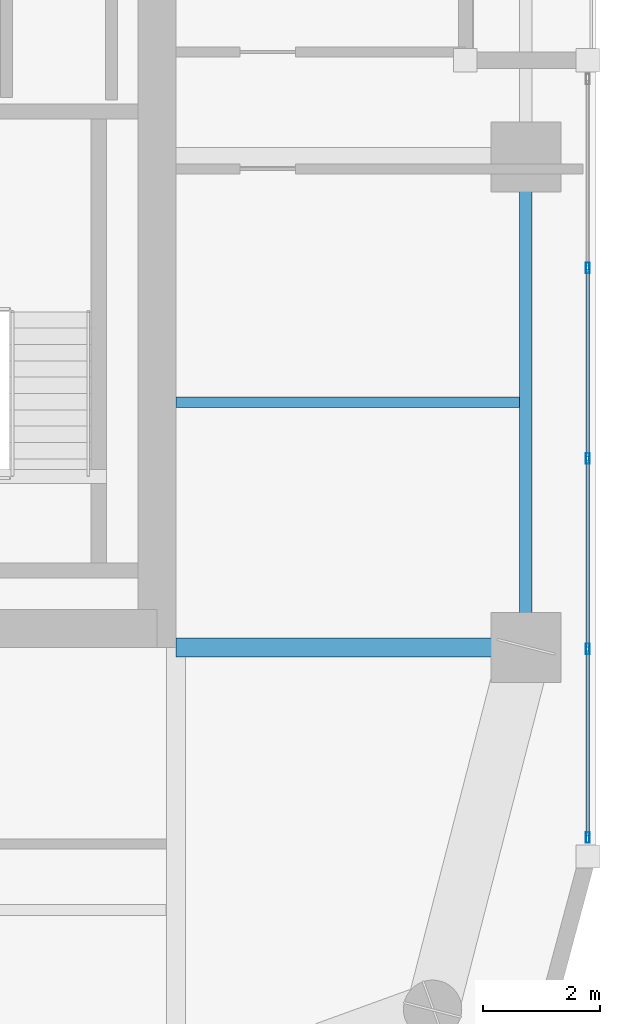
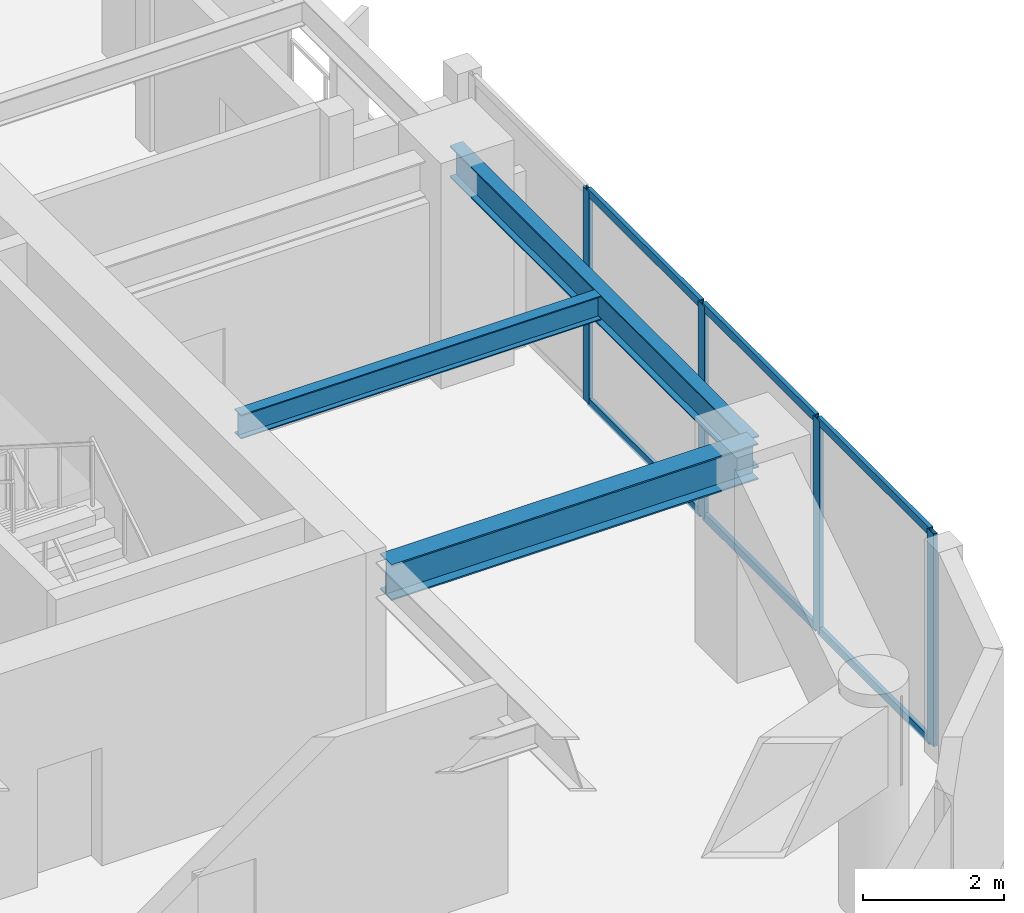
# One storey, part 9 of 30: 10 members, 3 beams, 1 element without a shape of its own.
"""IFC4 building model written with IfcOpenShell, lengths in metres."""

from ifc_helpers import new_model, si_unit, direction, frame, origin, origin_2d, place, context, subcontext, project, spatial, hollow_rectangle, i_section, extrude, material, layer, layer_set, material_profile, profile_set, type_object, element, aggregate, save


model = new_model("IFC4")

# Units and contexts
model_context = context("Model", 3, precision=1e-05, world=origin(), true_north=direction((0.0, 1.0)))
body_context = subcontext(model_context, "Body", "Model", "MODEL_VIEW")
ifc_project = project(units=[si_unit("LENGTHUNIT", "METRE"), si_unit("AREAUNIT", "SQUARE_METRE"), si_unit("VOLUMEUNIT", "CUBIC_METRE"), si_unit("PLANEANGLEUNIT", "RADIAN"), si_unit("MASSUNIT", "GRAM", prefix="KILO")], contexts=[model_context])

# Site, building, storey
site_placement = place(None, origin())
site = spatial("IfcSite", under=ifc_project, at=site_placement, CompositionType="ELEMENT")
building_placement = place(site_placement, origin())
building = spatial("IfcBuilding", under=site, at=building_placement, Name="Kiyonajd Concourse Tower", CompositionType="ELEMENT")
storey_placement = place(building_placement, frame((0.0, 0.0, 190.199951171875)))
storey = spatial("IfcBuildingStorey", under=building, at=storey_placement, Name="L48", CompositionType="ELEMENT", Elevation=190.199951171875)

# Beams
ifc_material_1 = material(Name="Steel ASTM A992 Grade 50", Category="steel")
ifc_material_profile_1 = material_profile(ifc_material_1, i_section(OverallWidth=0.180908203125, OverallDepth=0.4169921875, WebThickness=0.010986328125, FlangeThickness=0.018310546875, at=origin_2d()), Name="W410X85")
ifc_profile_set_1 = profile_set([ifc_material_profile_1], Name="Steel ASTM A992 Grade 50")
beam_type_1 = type_object("IfcBeamType", Name="BM-JST-410", PredefinedType="JOIST", material=ifc_profile_set_1)
beam_1_placement = place(storey_placement, frame((63.60009765625, 31.800048828125, 3.471435546875), z_axis=(1.0, 0.0, 0.0), x_axis=(0.0, 1.0, 0.0)))
element("IfcBeam", 1, at=beam_1_placement, inside=storey, type_object=beam_type_1, Name="L48 East Secondary Floor Joist", PredefinedType="JOIST", context=body_context, shape_type="SweptSolid", body=[
    extrude(i_section(OverallWidth=0.180908203125, OverallDepth=0.4169921875, WebThickness=0.010986328125, FlangeThickness=0.018310546875, at=origin_2d()), origin(), (0.0, 0.0, 1.0), 5.892822265625),
])
ifc_material_profile_2 = material_profile(ifc_material_1, i_section(OverallWidth=0.214111328125, OverallDepth=0.549072265625, WebThickness=0.0146484375, FlangeThickness=0.023681640625, at=origin_2d()), Name="W530X138")
ifc_profile_set_2 = profile_set([ifc_material_profile_2], Name="Steel ASTM A992 Grade 50")
beam_type_2 = type_object("IfcBeamType", Name="BM-SPAN-530A", PredefinedType="SPANDREL", material=ifc_profile_set_2)
beam_2_placement = place(storey_placement, frame((69.60009765625, 27.60009765625, 3.405517578125), z_axis=(0.0, 1.0, 0.0), x_axis=(-1.0, 0.0, 0.0)))
element("IfcBeam", 2, at=beam_2_placement, inside=storey, type_object=beam_type_2, Name="L48 Perimeter Bundled Tube Spandrel", PredefinedType="SPANDREL", context=body_context, shape_type="SweptSolid", body=[
    extrude(i_section(OverallWidth=0.214111328125, OverallDepth=0.549072265625, WebThickness=0.0146484375, FlangeThickness=0.023681640625, at=origin_2d()), origin(), (0.0, 0.0, 1.0), 8.39990234375),
])
ifc_material_profile_3 = material_profile(ifc_material_1, i_section(OverallWidth=0.326904296875, OverallDepth=0.6220703125, WebThickness=0.015380859375, FlangeThickness=0.0244140625, at=origin_2d()), Name="W610X195")
ifc_profile_set_3 = profile_set([ifc_material_profile_3], Name="Steel ASTM A992 Grade 50")
beam_type_3 = type_object("IfcBeamType", Name="BM-TWR-610A", PredefinedType="BEAM", material=ifc_profile_set_3)
beam_3_placement = place(storey_placement, frame((63.60009765625, 27.60009765625, 3.369140625), z_axis=(1.0, 0.0, 0.0), x_axis=(0.0, 1.0, 0.0)))
element("IfcBeam", 3, at=beam_3_placement, inside=storey, type_object=beam_type_3, Name="L48 East Lease Girder", PredefinedType="BEAM", context=body_context, shape_type="SweptSolid", body=[
    extrude(i_section(OverallWidth=0.326904296875, OverallDepth=0.6220703125, WebThickness=0.015380859375, FlangeThickness=0.0244140625, at=origin_2d()), origin(), (0.0, 0.0, 1.0), 6.0),
])

# Curtain wall, members
ifc_material_2 = material(Name="Thermally Broken Anodised Aluminium", Category="aluminium")
ifc_layer = layer(ifc_material_2, 0.179931640625)
ifc_layer_set = layer_set([ifc_layer], Name="Thermally Broken Anodised Aluminium")
curtain_wall_type = type_object("IfcCurtainWallType", Name="CW-SYS-03", PredefinedType="NOTDEFINED", material=ifc_layer_set)
curtain_wall_placement = place(storey_placement, origin())
curtain_wall = element("IfcCurtainWall", 4, at=curtain_wall_placement, inside=storey, type_object=curtain_wall_type, Name="L48 Unitised Curtain Wall CW3", PredefinedType="NOTDEFINED")
ifc_material_profile_4 = material_profile(ifc_material_2, hollow_rectangle(XDim=0.06494140625, YDim=0.179931640625, WallThickness=0.00390625, at=origin_2d()), Name="MULL-65x180")
ifc_profile_set_4 = profile_set([ifc_material_profile_4], Name="Thermally Broken Anodised Aluminium")
member_type_1 = type_object("IfcMemberType", Name="MB-CW-MULL1", PredefinedType="MULLION", material=ifc_profile_set_4)
member_1_placement = place(storey_placement, frame((70.659912109375, 34.1044921875, 0.0), z_axis=(0.0, 0.0, 1.0), x_axis=(1.0, 0.0, 0.0)))
member_1 = element("IfcMember", 5, at=member_1_placement, type_object=member_type_1, Name="CW3 mullion 2", PredefinedType="MULLION", context=body_context, shape_type="SweptSolid", body=[
    extrude(hollow_rectangle(XDim=0.06494140625, YDim=0.179931640625, WallThickness=0.00390625, at=origin_2d()), origin(), (0.0, 0.0, 1.0), 3.679931640625),
])
member_2_placement = place(storey_placement, frame((70.659912109375, 30.839111328125, 0.0), z_axis=(0.0, 0.0, 1.0), x_axis=(1.0, 0.0, 0.0)))
member_2 = element("IfcMember", 6, at=member_2_placement, type_object=member_type_1, Name="CW3 mullion 3", PredefinedType="MULLION", context=body_context, shape_type="SweptSolid", body=[
    extrude(hollow_rectangle(XDim=0.06494140625, YDim=0.179931640625, WallThickness=0.00390625, at=origin_2d()), origin(), (0.0, 0.0, 1.0), 3.679931640625),
])
member_3_placement = place(storey_placement, frame((70.659912109375, 27.57373046875, 0.0), z_axis=(0.0, 0.0, 1.0), x_axis=(1.0, 0.0, 0.0)))
member_3 = element("IfcMember", 7, at=member_3_placement, type_object=member_type_1, Name="CW3 mullion 4", PredefinedType="MULLION", context=body_context, shape_type="SweptSolid", body=[
    extrude(hollow_rectangle(XDim=0.06494140625, YDim=0.179931640625, WallThickness=0.00390625, at=origin_2d()), origin(), (0.0, 0.0, 1.0), 3.679931640625),
])
member_4_placement = place(storey_placement, frame((70.659912109375, 24.3408203125, 0.0), z_axis=(0.0, 0.0, 1.0), x_axis=(1.0, 0.0, 0.0)))
member_4 = element("IfcMember", 8, at=member_4_placement, type_object=member_type_1, Name="CW3 mullion 5", PredefinedType="MULLION", context=body_context, shape_type="SweptSolid", body=[
    extrude(hollow_rectangle(XDim=0.06494140625, YDim=0.179931640625, WallThickness=0.00390625, at=origin_2d()), origin(), (0.0, 0.0, 1.0), 3.679931640625),
])
ifc_material_profile_5 = material_profile(ifc_material_2, hollow_rectangle(XDim=0.06494140625, YDim=0.139892578125, WallThickness=0.00390625, at=origin_2d()), Name="TRAN-65x140")
ifc_profile_set_5 = profile_set([ifc_material_profile_5], Name="Thermally Broken Anodised Aluminium")
member_type_2 = type_object("IfcMemberType", Name="MB-CW-TRAN1", PredefinedType="USERDEFINED", material=ifc_profile_set_5)
member_5_placement = place(storey_placement, frame((70.659912109375, 34.072021484375, 0.032470703125), z_axis=(0.0, -1.0, 0.0), x_axis=(1.0, 0.0, 0.0)))
member_5 = element("IfcMember", 9, at=member_5_placement, type_object=member_type_2, Name="CW3 transom 2.1", ObjectType="TRANSOM", PredefinedType="USERDEFINED", context=body_context, shape_type="SweptSolid", body=[
    extrude(hollow_rectangle(XDim=0.06494140625, YDim=0.139892578125, WallThickness=0.00390625, at=origin_2d()), origin(), (0.0, 0.0, 1.0), 3.200439453125),
])
member_6_placement = place(storey_placement, frame((70.659912109375, 34.072021484375, 3.6474609375), z_axis=(0.0, -1.0, 0.0), x_axis=(1.0, 0.0, 0.0)))
member_6 = element("IfcMember", 10, at=member_6_placement, type_object=member_type_2, Name="CW3 transom 2.2", ObjectType="TRANSOM", PredefinedType="USERDEFINED", context=body_context, shape_type="SweptSolid", body=[
    extrude(hollow_rectangle(XDim=0.06494140625, YDim=0.139892578125, WallThickness=0.00390625, at=origin_2d()), origin(), (0.0, 0.0, 1.0), 3.200439453125),
])
member_7_placement = place(storey_placement, frame((70.659912109375, 30.806640625, 0.032470703125), z_axis=(0.0, -1.0, 0.0), x_axis=(1.0, 0.0, 0.0)))
member_7 = element("IfcMember", 11, at=member_7_placement, type_object=member_type_2, Name="CW3 transom 3.1", ObjectType="TRANSOM", PredefinedType="USERDEFINED", context=body_context, shape_type="SweptSolid", body=[
    extrude(hollow_rectangle(XDim=0.06494140625, YDim=0.139892578125, WallThickness=0.00390625, at=origin_2d()), origin(), (0.0, 0.0, 1.0), 3.200439453125),
])
member_8_placement = place(storey_placement, frame((70.659912109375, 30.806640625, 3.6474609375), z_axis=(0.0, -1.0, 0.0), x_axis=(1.0, 0.0, 0.0)))
member_8 = element("IfcMember", 12, at=member_8_placement, type_object=member_type_2, Name="CW3 transom 3.2", ObjectType="TRANSOM", PredefinedType="USERDEFINED", context=body_context, shape_type="SweptSolid", body=[
    extrude(hollow_rectangle(XDim=0.06494140625, YDim=0.139892578125, WallThickness=0.00390625, at=origin_2d()), origin(), (0.0, 0.0, 1.0), 3.200439453125),
])
member_9_placement = place(storey_placement, frame((70.659912109375, 27.541259765625, 0.032470703125), z_axis=(0.0, -1.0, 0.0), x_axis=(1.0, 0.0, 0.0)))
member_9 = element("IfcMember", 13, at=member_9_placement, type_object=member_type_2, Name="CW3 transom 4.1", ObjectType="TRANSOM", PredefinedType="USERDEFINED", context=body_context, shape_type="SweptSolid", body=[
    extrude(hollow_rectangle(XDim=0.06494140625, YDim=0.139892578125, WallThickness=0.00390625, at=origin_2d()), origin(), (0.0, 0.0, 1.0), 3.16796875),
])
member_10_placement = place(storey_placement, frame((70.659912109375, 27.541259765625, 3.6474609375), z_axis=(0.0, -1.0, 0.0), x_axis=(1.0, 0.0, 0.0)))
member_10 = element("IfcMember", 14, at=member_10_placement, type_object=member_type_2, Name="CW3 transom 4.2", ObjectType="TRANSOM", PredefinedType="USERDEFINED", context=body_context, shape_type="SweptSolid", body=[
    extrude(hollow_rectangle(XDim=0.06494140625, YDim=0.139892578125, WallThickness=0.00390625, at=origin_2d()), origin(), (0.0, 0.0, 1.0), 3.16796875),
])
aggregate(curtain_wall, [member_1, member_2, member_3, member_4, member_5, member_6, member_7, member_8, member_9, member_10])

save(model, "model.ifc")
